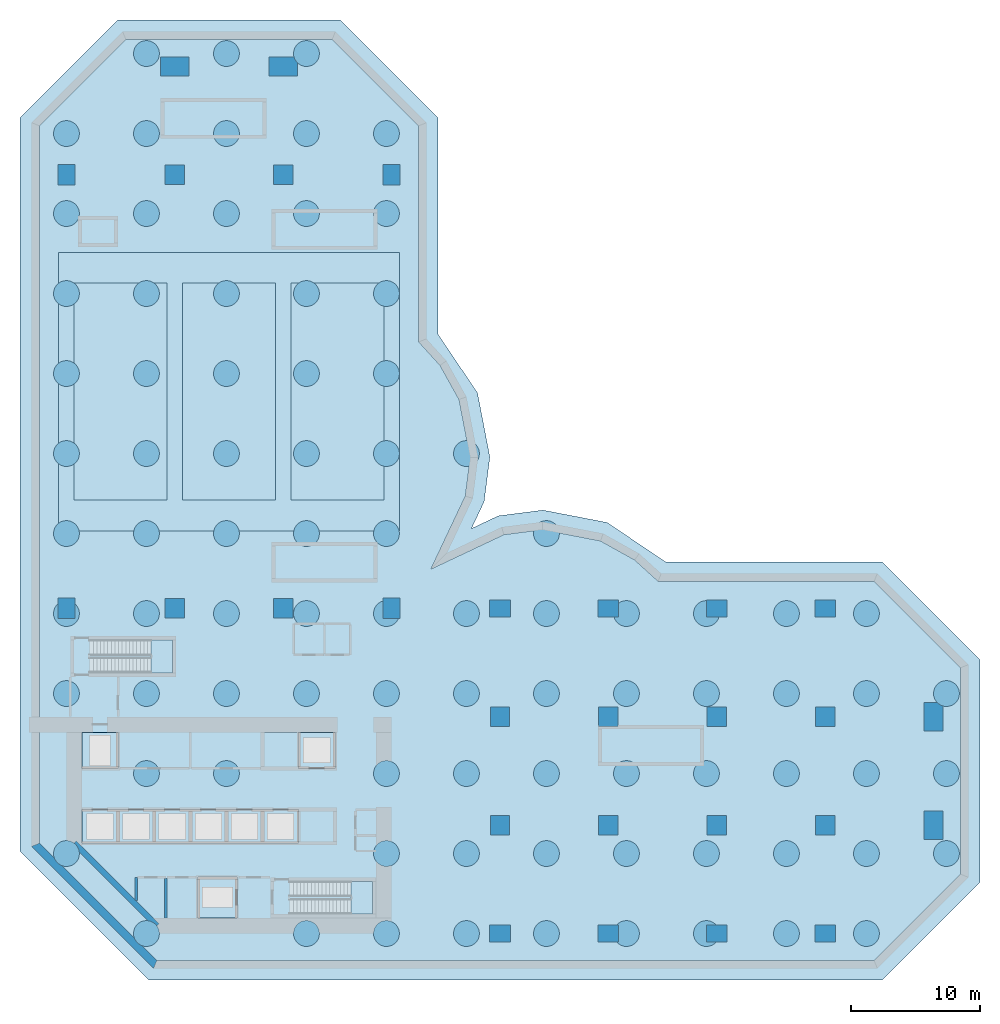
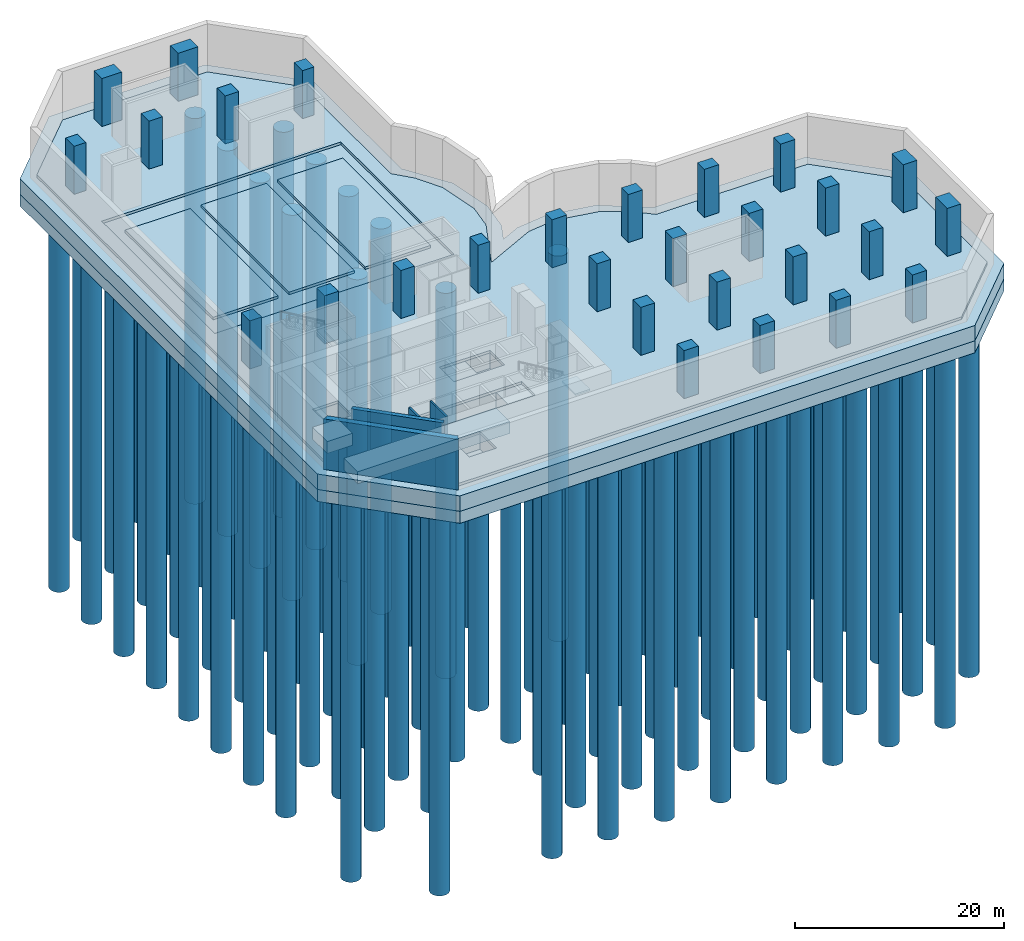
# One storey, part 1 of 6: 86 piles, 28 columns, 6 footings, 6 slabs, 4 walls, 2 elements without a shape of their own.
"""IFC4 building model written with IfcOpenShell, lengths in metres."""

from ifc_helpers import new_model, si_unit, direction, frame, frame_2d, origin, origin_2d, place, context, subcontext, project, spatial, polyline, rectangle, circle, outline, extrude, material, layer, layer_set, material_profile, profile_set, type_object, element, aggregate, save


model = new_model("IFC4")

# Units and contexts
model_context = context("Model", 3, precision=1e-05, world=origin(), true_north=direction((0.0, 1.0)))
body_context = subcontext(model_context, "Body", "Model", "MODEL_VIEW")
ifc_project = project(units=[si_unit("LENGTHUNIT", "METRE"), si_unit("AREAUNIT", "SQUARE_METRE"), si_unit("VOLUMEUNIT", "CUBIC_METRE"), si_unit("PLANEANGLEUNIT", "RADIAN"), si_unit("MASSUNIT", "GRAM", prefix="KILO")], contexts=[model_context])

# Site, building, storey
site_placement = place(None, origin())
site = spatial("IfcSite", under=ifc_project, at=site_placement, CompositionType="ELEMENT")
building_placement = place(site_placement, origin())
building = spatial("IfcBuilding", under=site, at=building_placement, Name="Brevane Broadcast Tower", CompositionType="ELEMENT")
storey_placement = place(building_placement, frame((0.0, 0.0, -6.0)))
storey = spatial("IfcBuildingStorey", under=building, at=storey_placement, Name="B1", CompositionType="ELEMENT", Elevation=-6.0)

# Piles
ifc_material_1 = material(Name="Concrete C35/45", Category="concrete")
ifc_material_profile_1 = material_profile(ifc_material_1, circle(Radius=1.0, at=origin_2d()), Name="RC D2000")
ifc_profile_set_1 = profile_set([ifc_material_profile_1], Name="Concrete C35/45")
pile_type = type_object("IfcPileType", Name="BORED PILE D2000 C35/45", PredefinedType="BORED", material=ifc_profile_set_1)
for number, where, z_axis, x_axis, name in (
    (1, (6.199951171875, 0.0, -3.39990234375), (0.0, 0.0, -1.0), (1.0, 0.0, 0.0), "P1"),
    (2, (18.60009765625, 0.0, -3.39990234375), (0.0, 0.0, -1.0), (1.0, 0.0, 0.0), "P2"),
    (3, (24.800048828125, 0.0, -3.39990234375), (0.0, 0.0, -1.0), (1.0, 0.0, 0.0), "P3"),
    (4, (31.0, 0.0, -3.39990234375), (0.0, 0.0, -1.0), (1.0, 0.0, 0.0), "P4"),
    (5, (37.199951171875, 0.0, -3.39990234375), (0.0, 0.0, -1.0), (1.0, 0.0, 0.0), "P5"),
    (6, (43.39990234375, 0.0, -3.39990234375), (0.0, 0.0, -1.0), (1.0, 0.0, 0.0), "P6"),
    (7, (49.60009765625, 0.0, -3.39990234375), (0.0, 0.0, -1.0), (1.0, 0.0, 0.0), "P7"),
    (8, (55.800048828125, 0.0, -3.39990234375), (0.0, 0.0, -1.0), (1.0, 0.0, 0.0), "P8"),
    (9, (62.0, 0.0, -3.39990234375), (0.0, 0.0, -1.0), (1.0, 0.0, 0.0), "P9"),
    (10, (0.0, 6.199951171875, -3.39990234375), (0.0, 0.0, -1.0), (1.0, 0.0, 0.0), "P10"),
    (11, (24.800048828125, 6.199951171875, -3.39990234375), (0.0, 0.0, -1.0), (1.0, 0.0, 0.0), "P11"),
    (12, (31.0, 6.199951171875, -3.39990234375), (0.0, 0.0, -1.0), (1.0, 0.0, 0.0), "P12"),
    (13, (37.199951171875, 6.199951171875, -3.39990234375), (0.0, 0.0, -1.0), (1.0, 0.0, 0.0), "P13"),
    (14, (43.39990234375, 6.199951171875, -3.39990234375), (0.0, 0.0, -1.0), (1.0, 0.0, 0.0), "P14"),
    (15, (49.60009765625, 6.199951171875, -3.39990234375), (0.0, 0.0, -1.0), (1.0, 0.0, 0.0), "P15"),
    (16, (55.800048828125, 6.199951171875, -3.39990234375), (0.0, 0.0, -1.0), (1.0, 0.0, 0.0), "P16"),
    (17, (62.0, 6.199951171875, -3.39990234375), (0.0, 0.0, -1.0), (1.0, 0.0, 0.0), "P17"),
    (18, (68.199951171875, 6.199951171875, -3.39990234375), (0.0, 0.0, -1.0), (1.0, 0.0, 0.0), "P18"),
    (19, (6.199951171875, 12.39990234375, -3.39990234375), (0.0, 0.0, -1.0), (1.0, 0.0, 0.0), "P19"),
    (20, (12.39990234375, 12.39990234375, -3.39990234375), (0.0, 0.0, -1.0), (1.0, 0.0, 0.0), "P20"),
    (21, (24.800048828125, 12.39990234375, -3.39990234375), (0.0, 0.0, -1.0), (1.0, 0.0, 0.0), "P21"),
    (22, (31.0, 12.39990234375, -3.39990234375), (0.0, 0.0, -1.0), (1.0, 0.0, 0.0), "P22"),
    (23, (37.199951171875, 12.39990234375, -3.39990234375), (0.0, 0.0, -1.0), (1.0, 0.0, 0.0), "P23"),
    (24, (43.39990234375, 12.39990234375, -3.39990234375), (0.0, 0.0, -1.0), (1.0, 0.0, 0.0), "P24"),
    (25, (49.60009765625, 12.39990234375, -3.39990234375), (0.0, 0.0, -1.0), (1.0, 0.0, 0.0), "P25"),
    (26, (55.800048828125, 12.39990234375, -3.39990234375), (0.0, 0.0, -1.0), (1.0, 0.0, 0.0), "P26"),
    (27, (62.0, 12.39990234375, -3.39990234375), (0.0, 0.0, -1.0), (1.0, 0.0, 0.0), "P27"),
    (28, (68.199951171875, 12.39990234375, -3.39990234375), (0.0, 0.0, -1.0), (1.0, 0.0, 0.0), "P28"),
    (29, (0.0, 18.60009765625, -3.39990234375), (0.0, 0.0, -1.0), (1.0, 0.0, 0.0), "P29"),
    (30, (6.199951171875, 18.60009765625, -3.39990234375), (0.0, 0.0, -1.0), (1.0, 0.0, 0.0), "P30"),
    (31, (12.39990234375, 18.60009765625, -3.39990234375), (0.0, 0.0, -1.0), (1.0, 0.0, 0.0), "P31"),
    (32, (18.60009765625, 18.60009765625, -3.39990234375), (0.0, 0.0, -1.0), (1.0, 0.0, 0.0), "P32"),
    (33, (24.800048828125, 18.60009765625, -3.39990234375), (0.0, 0.0, -1.0), (1.0, 0.0, 0.0), "P33"),
    (34, (31.0, 18.60009765625, -3.39990234375), (0.0, 0.0, -1.0), (1.0, 0.0, 0.0), "P34"),
    (35, (37.199951171875, 18.60009765625, -3.39990234375), (0.0, 0.0, -1.0), (1.0, 0.0, 0.0), "P35"),
    (36, (43.39990234375, 18.60009765625, -3.39990234375), (0.0, 0.0, -1.0), (1.0, 0.0, 0.0), "P36"),
    (37, (49.60009765625, 18.60009765625, -3.39990234375), (0.0, 0.0, -1.0), (1.0, 0.0, 0.0), "P37"),
    (38, (55.800048828125, 18.60009765625, -3.39990234375), (0.0, 0.0, -1.0), (1.0, 0.0, 0.0), "P38"),
    (39, (62.0, 18.60009765625, -3.39990234375), (0.0, 0.0, -1.0), (1.0, 0.0, 0.0), "P39"),
    (40, (68.199951171875, 18.60009765625, -3.39990234375), (0.0, 0.0, -1.0), (1.0, 0.0, 0.0), "P40"),
    (41, (0.0, 24.800048828125, -3.39990234375), (0.0, 0.0, -1.0), (1.0, 0.0, 0.0), "P41"),
    (42, (6.199951171875, 24.800048828125, -3.39990234375), (0.0, 0.0, -1.0), (1.0, 0.0, 0.0), "P42"),
    (43, (12.39990234375, 24.800048828125, -3.39990234375), (0.0, 0.0, -1.0), (1.0, 0.0, 0.0), "P43"),
    (44, (18.60009765625, 24.800048828125, -3.39990234375), (0.0, 0.0, -1.0), (1.0, 0.0, 0.0), "P44"),
    (45, (24.800048828125, 24.800048828125, -3.39990234375), (0.0, 0.0, -1.0), (1.0, 0.0, 0.0), "P45"),
    (46, (31.0, 24.800048828125, -3.39990234375), (0.0, 0.0, -1.0), (1.0, 0.0, 0.0), "P46"),
    (47, (37.199951171875, 24.800048828125, -3.39990234375), (0.0, 0.0, -1.0), (1.0, 0.0, 0.0), "P47"),
    (48, (43.39990234375, 24.800048828125, -3.39990234375), (0.0, 0.0, -1.0), (1.0, 0.0, 0.0), "P48"),
    (49, (49.60009765625, 24.800048828125, -3.39990234375), (0.0, 0.0, -1.0), (1.0, 0.0, 0.0), "P49"),
    (50, (55.800048828125, 24.800048828125, -3.39990234375), (0.0, 0.0, -1.0), (1.0, 0.0, 0.0), "P50"),
    (51, (62.0, 24.800048828125, -3.39990234375), (0.0, 0.0, -1.0), (1.0, 0.0, 0.0), "P51"),
    (52, (0.0, 31.0, -3.39990234375), (0.0, 0.0, -1.0), (1.0, 0.0, 0.0), "P52"),
    (53, (6.199951171875, 31.0, -3.39990234375), (0.0, 0.0, -1.0), (1.0, 0.0, 0.0), "P53"),
    (54, (12.39990234375, 31.0, -3.39990234375), (0.0, 0.0, -1.0), (1.0, 0.0, 0.0), "P54"),
    (55, (18.60009765625, 31.0, -3.39990234375), (0.0, 0.0, -1.0), (1.0, 0.0, 0.0), "P55"),
    (56, (24.800048828125, 31.0, -3.39990234375), (0.0, 0.0, -1.0), (1.0, 0.0, 0.0), "P56"),
    (57, (37.199951171875, 31.0, -3.39990234375), (0.0, 0.0, -1.0), (1.0, 0.0, 0.0), "P57"),
    (58, (0.0, 37.199951171875, -3.39990234375), (0.0, 0.0, -1.0), (1.0, 0.0, 0.0), "P58"),
    (59, (6.199951171875, 37.199951171875, -3.39990234375), (0.0, 0.0, -1.0), (1.0, 0.0, 0.0), "P59"),
    (60, (12.39990234375, 37.199951171875, -3.39990234375), (0.0, 0.0, -1.0), (1.0, 0.0, 0.0), "P60"),
    (61, (18.60009765625, 37.199951171875, -3.39990234375), (0.0, 0.0, -1.0), (1.0, 0.0, 0.0), "P61"),
    (62, (24.800048828125, 37.199951171875, -3.39990234375), (0.0, 0.0, -1.0), (1.0, 0.0, 0.0), "P62"),
    (63, (31.0, 37.199951171875, -3.39990234375), (0.0, 0.0, -1.0), (1.0, 0.0, 0.0), "P63"),
    (64, (0.0, 43.39990234375, -3.39990234375), (0.0, 0.0, -1.0), (1.0, 0.0, 0.0), "P64"),
    (65, (6.199951171875, 43.39990234375, -3.39990234375), (0.0, 0.0, -1.0), (1.0, 0.0, 0.0), "P65"),
    (66, (12.39990234375, 43.39990234375, -3.39990234375), (0.0, 0.0, -1.0), (1.0, 0.0, 0.0), "P66"),
    (67, (18.60009765625, 43.39990234375, -3.39990234375), (0.0, 0.0, -1.0), (1.0, 0.0, 0.0), "P67"),
    (68, (24.800048828125, 43.39990234375, -3.39990234375), (0.0, 0.0, -1.0), (1.0, 0.0, 0.0), "P68"),
    (69, (0.0, 49.60009765625, -3.39990234375), (0.0, 0.0, -1.0), (1.0, 0.0, 0.0), "P69"),
    (70, (6.199951171875, 49.60009765625, -3.39990234375), (0.0, 0.0, -1.0), (1.0, 0.0, 0.0), "P70"),
    (71, (12.39990234375, 49.60009765625, -3.39990234375), (0.0, 0.0, -1.0), (1.0, 0.0, 0.0), "P71"),
    (72, (18.60009765625, 49.60009765625, -3.39990234375), (0.0, 0.0, -1.0), (1.0, 0.0, 0.0), "P72"),
    (73, (24.800048828125, 49.60009765625, -3.39990234375), (0.0, 0.0, -1.0), (1.0, 0.0, 0.0), "P73"),
    (74, (0.0, 55.800048828125, -3.39990234375), (0.0, 0.0, -1.0), (1.0, 0.0, 0.0), "P74"),
    (75, (6.199951171875, 55.800048828125, -3.39990234375), (0.0, 0.0, -1.0), (1.0, 0.0, 0.0), "P75"),
    (76, (12.39990234375, 55.800048828125, -3.39990234375), (0.0, 0.0, -1.0), (1.0, 0.0, 0.0), "P76"),
    (77, (18.60009765625, 55.800048828125, -3.39990234375), (0.0, 0.0, -1.0), (1.0, 0.0, 0.0), "P77"),
    (78, (24.800048828125, 55.800048828125, -3.39990234375), (0.0, 0.0, -1.0), (1.0, 0.0, 0.0), "P78"),
    (79, (0.0, 62.0, -3.39990234375), (0.0, 0.0, -1.0), (1.0, 0.0, 0.0), "P79"),
    (80, (6.199951171875, 62.0, -3.39990234375), (0.0, 0.0, -1.0), (1.0, 0.0, 0.0), "P80"),
    (81, (12.39990234375, 62.0, -3.39990234375), (0.0, 0.0, -1.0), (1.0, 0.0, 0.0), "P81"),
    (82, (18.60009765625, 62.0, -3.39990234375), (0.0, 0.0, -1.0), (1.0, 0.0, 0.0), "P82"),
    (83, (24.800048828125, 62.0, -3.39990234375), (0.0, 0.0, -1.0), (1.0, 0.0, 0.0), "P83"),
    (84, (6.199951171875, 68.199951171875, -3.39990234375), (0.0, 0.0, -1.0), (1.0, 0.0, 0.0), "P84"),
    (85, (12.39990234375, 68.199951171875, -3.39990234375), (0.0, 0.0, -1.0), (1.0, 0.0, 0.0), "P85"),
    (86, (18.60009765625, 68.199951171875, -3.39990234375), (0.0, 0.0, -1.0), (1.0, 0.0, 0.0), "P86"),
):
    element("IfcPile", number, at=place(storey_placement, frame(where, z_axis=z_axis, x_axis=x_axis)), inside=storey, type_object=pile_type, Name=name, PredefinedType="BORED", context=body_context, shape_type="SweptSolid", body=[
        extrude(circle(Radius=1.0, at=origin_2d()), origin(), (0.0, 0.0, 1.0), 45.0),
    ])

# Footings
ifc_material_2 = material(Name="Concrete C40/50", Category="concrete")
ifc_layer_1 = layer(ifc_material_2, 1.39990234375)
ifc_layer_set_1 = layer_set([ifc_layer_1], Name="LIFT PIT PAD 1400 C40/50")
footing_type_1 = type_object("IfcFootingType", Name="LIFT PIT PAD 1400 C40/50", PredefinedType="PAD_FOOTING", material=ifc_layer_set_1)
footing_1_placement = place(storey_placement, frame((0.0, 0.0, -3.5)))
element("IfcFooting", 87, at=footing_1_placement, inside=storey, type_object=footing_type_1, Name="F2 PIT PAD 1", PredefinedType="PAD_FOOTING", context=body_context, shape_type="SweptSolid", body=[
    extrude(outline(polyline([(13.199951171875, 4.39990234375), (13.199951171875, 1.199951171875), (10.199951171875, 1.199951171875), (10.199951171875, 4.39990234375), (13.199951171875, 4.39990234375)])), origin(), (0.0, 0.0, 1.0), 1.39990234375),
])
footing_2_placement = place(storey_placement, frame((0.0, 0.0, -3.5)))
element("IfcFooting", 88, at=footing_2_placement, inside=storey, type_object=footing_type_1, Name="F2 PIT PAD 2", PredefinedType="PAD_FOOTING", context=body_context, shape_type="SweptSolid", body=[
    extrude(outline(polyline([(4.0, 9.60009765625), (6.800048828125, 9.60009765625), (9.60009765625, 9.60009765625), (12.39990234375, 9.60009765625), (15.199951171875, 9.60009765625), (18.0, 9.60009765625), (18.0, 7.0), (15.199951171875, 7.0), (12.39990234375, 7.0), (9.60009765625, 7.0), (6.800048828125, 7.0), (4.0, 7.0), (1.199951171875, 7.0), (1.199951171875, 9.60009765625), (4.0, 9.60009765625)])), origin(), (0.0, 0.0, 1.0), 1.39990234375),
])
footing_3_placement = place(storey_placement, frame((0.0, 0.0, -3.5)))
element("IfcFooting", 89, at=footing_3_placement, inside=storey, type_object=footing_type_1, Name="F2 PIT PAD 3", PredefinedType="PAD_FOOTING", context=body_context, shape_type="SweptSolid", body=[
    extrude(outline(polyline([(4.0, 12.800048828125), (1.199951171875, 12.800048828125), (1.199951171875, 15.60009765625), (4.0, 15.60009765625), (4.0, 12.800048828125)])), origin(), (0.0, 0.0, 1.0), 1.39990234375),
])
footing_4_placement = place(storey_placement, frame((0.0, 0.0, -3.5)))
element("IfcFooting", 90, at=footing_4_placement, inside=storey, type_object=footing_type_1, Name="F2 PIT PAD 4", PredefinedType="PAD_FOOTING", context=body_context, shape_type="SweptSolid", body=[
    extrude(outline(polyline([(20.800048828125, 12.800048828125), (18.0, 12.800048828125), (18.0, 15.60009765625), (20.800048828125, 15.60009765625), (20.800048828125, 12.800048828125)])), origin(), (0.0, 0.0, 1.0), 1.39990234375),
])
ifc_layer_2 = layer(ifc_material_2, 1.39990234375)
ifc_layer_set_2 = layer_set([ifc_layer_2], Name="PILED RAFT BASE 1400 C40/50")
footing_type_2 = type_object("IfcFootingType", Name="PILED RAFT BASE 1400 C40/50", PredefinedType="PILE_CAP", material=ifc_layer_set_2)
footing_5_placement = place(storey_placement, frame((0.0, 0.0, -3.5)))
element("IfcFooting", 91, at=footing_5_placement, inside=storey, type_object=footing_type_2, Name="F1 RAFT BASE", PredefinedType="PILE_CAP", context=body_context, shape_type="SweptSolid", body=[
    extrude(outline(polyline([(6.381591796875, -3.60009765625), (-3.60009765625, 6.381591796875), (-3.60009765625, 63.21826171875), (3.981689453125, 70.800048828125), (21.21826171875, 70.800048828125), (28.800048828125, 63.21826171875), (28.800048828125, 46.435546875), (31.855224609375, 41.905029296875), (32.814697265625, 36.928955078125), (32.37353515625, 33.472900390625), (31.387451171875, 31.387451171875), (33.472900390625, 32.37353515625), (36.928955078125, 32.814697265625), (41.905029296875, 31.855224609375), (46.435546875, 28.800048828125), (63.21826171875, 28.800048828125), (70.800048828125, 21.21826171875), (70.800048828125, 3.981689453125), (63.21826171875, -3.60009765625), (6.381591796875, -3.60009765625)]), holes=[polyline([(13.199951171875, 4.39990234375), (13.199951171875, 1.199951171875), (10.199951171875, 1.199951171875), (10.199951171875, 4.39990234375), (13.199951171875, 4.39990234375)]), polyline([(4.0, 9.60009765625), (6.800048828125, 9.60009765625), (9.60009765625, 9.60009765625), (12.39990234375, 9.60009765625), (15.199951171875, 9.60009765625), (18.0, 9.60009765625), (18.0, 7.0), (15.199951171875, 7.0), (12.39990234375, 7.0), (9.60009765625, 7.0), (6.800048828125, 7.0), (4.0, 7.0), (1.199951171875, 7.0), (1.199951171875, 9.60009765625), (4.0, 9.60009765625)]), polyline([(4.0, 12.800048828125), (1.199951171875, 12.800048828125), (1.199951171875, 15.60009765625), (4.0, 15.60009765625), (4.0, 12.800048828125)]), polyline([(20.800048828125, 12.800048828125), (18.0, 12.800048828125), (18.0, 15.60009765625), (20.800048828125, 15.60009765625), (20.800048828125, 12.800048828125)])]), origin(), (0.0, 0.0, 1.0), 1.39990234375),
])
ifc_layer_3 = layer(ifc_material_2, 1.800048828125)
ifc_layer_set_3 = layer_set([ifc_layer_3], Name="PILED RAFT UPPER 1800 C40/50")
footing_type_3 = type_object("IfcFootingType", Name="PILED RAFT UPPER 1800 C40/50", PredefinedType="PILE_CAP", material=ifc_layer_set_3)
footing_6_placement = place(storey_placement, frame((0.0, 0.0, -2.10009765625)))
element("IfcFooting", 92, at=footing_6_placement, inside=storey, type_object=footing_type_3, Name="F1 RAFT UPPER", PredefinedType="PILE_CAP", context=body_context, shape_type="SweptSolid", body=[
    extrude(outline(polyline([(6.381591796875, -3.60009765625), (-3.60009765625, 6.381591796875), (-3.60009765625, 63.21826171875), (3.981689453125, 70.800048828125), (21.21826171875, 70.800048828125), (28.800048828125, 63.21826171875), (28.800048828125, 46.435546875), (31.855224609375, 41.905029296875), (32.814697265625, 36.928955078125), (32.37353515625, 33.472900390625), (31.387451171875, 31.387451171875), (33.472900390625, 32.37353515625), (36.928955078125, 32.814697265625), (41.905029296875, 31.855224609375), (46.435546875, 28.800048828125), (63.21826171875, 28.800048828125), (70.800048828125, 21.21826171875), (70.800048828125, 3.981689453125), (63.21826171875, -3.60009765625), (6.381591796875, -3.60009765625)]), holes=[polyline([(13.199951171875, 4.39990234375), (13.199951171875, 1.199951171875), (10.199951171875, 1.199951171875), (10.199951171875, 4.39990234375), (13.199951171875, 4.39990234375)]), polyline([(4.0, 9.60009765625), (6.800048828125, 9.60009765625), (9.60009765625, 9.60009765625), (12.39990234375, 9.60009765625), (15.199951171875, 9.60009765625), (18.0, 9.60009765625), (18.0, 7.0), (15.199951171875, 7.0), (12.39990234375, 7.0), (9.60009765625, 7.0), (6.800048828125, 7.0), (4.0, 7.0), (1.199951171875, 7.0), (1.199951171875, 9.60009765625), (4.0, 9.60009765625)]), polyline([(4.0, 12.800048828125), (1.199951171875, 12.800048828125), (1.199951171875, 15.60009765625), (4.0, 15.60009765625), (4.0, 12.800048828125)]), polyline([(20.800048828125, 12.800048828125), (18.0, 12.800048828125), (18.0, 15.60009765625), (20.800048828125, 15.60009765625), (20.800048828125, 12.800048828125)])]), origin(), (0.0, 0.0, 1.0), 1.800048828125),
])

# Columns
ifc_material_3 = material(Name="Concrete C80/95", Category="concrete")
ifc_material_profile_2 = material_profile(ifc_material_3, rectangle(XDim=1.300048828125, YDim=1.60009765625, at=origin_2d()), Name="RC 1300x1600")
ifc_profile_set_2 = profile_set([ifc_material_profile_2], Name="Concrete C80/95")
column_type_1 = type_object("IfcColumnType", Name="RC COLUMN EDGE 1300x1600 C80/95", PredefinedType="COLUMN", material=ifc_profile_set_2)
for number, where, z_axis, x_axis, name in (
    (93, (0.0, 25.199951171875, 0.0), (0.0, 0.0, 1.0), (1.0, 0.0, 0.0), "CE1 1/D"),
    (94, (0.0, 58.800048828125, 0.0), (0.0, 0.0, 1.0), (1.0, 0.0, 0.0), "CE1 1/H"),
    (95, (25.199951171875, 25.199951171875, 0.0), (0.0, 0.0, 1.0), (1.0, 0.0, 0.0), "CE1 4/D"),
    (96, (25.199951171875, 58.800048828125, 0.0), (0.0, 0.0, 1.0), (1.0, 0.0, 0.0), "CE1 4/H"),
    (97, (33.60009765625, 0.0, 0.0), (0.0, 0.0, 1.0), (0.0, 1.0, 0.0), "CE1 5/A"),
    (98, (33.60009765625, 25.199951171875, 0.0), (0.0, 0.0, 1.0), (0.0, 1.0, 0.0), "CE1 5/D"),
    (99, (42.0, 0.0, 0.0), (0.0, 0.0, 1.0), (0.0, 1.0, 0.0), "CE1 6/A"),
    (100, (42.0, 25.199951171875, 0.0), (0.0, 0.0, 1.0), (0.0, 1.0, 0.0), "CE1 6/D"),
    (101, (50.39990234375, 0.0, 0.0), (0.0, 0.0, 1.0), (0.0, 1.0, 0.0), "CE1 7/A"),
    (102, (50.39990234375, 25.199951171875, 0.0), (0.0, 0.0, 1.0), (0.0, 1.0, 0.0), "CE1 7/D"),
    (103, (58.800048828125, 0.0, 0.0), (0.0, 0.0, 1.0), (0.0, 1.0, 0.0), "CE1 8/A"),
    (104, (58.800048828125, 25.199951171875, 0.0), (0.0, 0.0, 1.0), (0.0, 1.0, 0.0), "CE1 8/D"),
):
    element("IfcColumn", number, at=place(storey_placement, frame(where, z_axis=z_axis, x_axis=x_axis)), inside=storey, type_object=column_type_1, Name=name, PredefinedType="COLUMN", context=body_context, shape_type="SweptSolid", body=[
        extrude(rectangle(XDim=1.300048828125, YDim=1.60009765625, at=origin_2d()), origin(), (0.0, 0.0, 1.0), 5.60009765625),
    ])
ifc_material_profile_3 = material_profile(ifc_material_3, rectangle(XDim=1.5, YDim=1.5, at=origin_2d()), Name="RC 1500x1500")
ifc_profile_set_3 = profile_set([ifc_material_profile_3], Name="Concrete C80/95")
column_type_2 = type_object("IfcColumnType", Name="RC COLUMN INTERIOR 1500x1500 C80/95", PredefinedType="COLUMN", material=ifc_profile_set_3)
for number, where, z_axis, x_axis, name in (
    (105, (8.39990234375, 25.199951171875, 0.0), (0.0, 0.0, 1.0), (1.0, 0.0, 0.0), "CI2 2/D"),
    (106, (8.39990234375, 58.800048828125, 0.0), (0.0, 0.0, 1.0), (1.0, 0.0, 0.0), "CI2 2/H"),
    (107, (16.800048828125, 25.199951171875, 0.0), (0.0, 0.0, 1.0), (1.0, 0.0, 0.0), "CI2 3/D"),
    (108, (16.800048828125, 58.800048828125, 0.0), (0.0, 0.0, 1.0), (1.0, 0.0, 0.0), "CI2 3/H"),
    (109, (33.60009765625, 8.39990234375, 0.0), (0.0, 0.0, 1.0), (1.0, 0.0, 0.0), "CI2 5/B"),
    (110, (33.60009765625, 16.800048828125, 0.0), (0.0, 0.0, 1.0), (1.0, 0.0, 0.0), "CI2 5/C"),
    (111, (42.0, 8.39990234375, 0.0), (0.0, 0.0, 1.0), (1.0, 0.0, 0.0), "CI2 6/B"),
    (112, (42.0, 16.800048828125, 0.0), (0.0, 0.0, 1.0), (1.0, 0.0, 0.0), "CI2 6/C"),
    (113, (50.39990234375, 8.39990234375, 0.0), (0.0, 0.0, 1.0), (1.0, 0.0, 0.0), "CI2 7/B"),
    (114, (50.39990234375, 16.800048828125, 0.0), (0.0, 0.0, 1.0), (1.0, 0.0, 0.0), "CI2 7/C"),
    (115, (58.800048828125, 8.39990234375, 0.0), (0.0, 0.0, 1.0), (1.0, 0.0, 0.0), "CI2 8/B"),
    (116, (58.800048828125, 16.800048828125, 0.0), (0.0, 0.0, 1.0), (1.0, 0.0, 0.0), "CI2 8/C"),
):
    element("IfcColumn", number, at=place(storey_placement, frame(where, z_axis=z_axis, x_axis=x_axis)), inside=storey, type_object=column_type_2, Name=name, PredefinedType="COLUMN", context=body_context, shape_type="SweptSolid", body=[
        extrude(rectangle(XDim=1.5, YDim=1.5, at=origin_2d()), origin(), (0.0, 0.0, 1.0), 5.60009765625),
    ])
ifc_material_profile_4 = material_profile(ifc_material_3, rectangle(XDim=1.5, YDim=2.199951171875, at=origin_2d()), Name="RC 1500x2200")
ifc_profile_set_4 = profile_set([ifc_material_profile_4], Name="Concrete C80/95")
column_type_3 = type_object("IfcColumnType", Name="RC COLUMN WING-END 1500x2200 C80/95", PredefinedType="COLUMN", material=ifc_profile_set_4)
for number, where, z_axis, x_axis, name in (
    (117, (8.39990234375, 67.199951171875, 0.0), (0.0, 0.0, 1.0), (0.0, 1.0, 0.0), "CW3 2/I"),
    (118, (16.800048828125, 67.199951171875, 0.0), (0.0, 0.0, 1.0), (0.0, 1.0, 0.0), "CW3 3/I"),
    (119, (67.199951171875, 8.39990234375, 0.0), (0.0, 0.0, 1.0), (1.0, 0.0, 0.0), "CW3 9/B"),
    (120, (67.199951171875, 16.800048828125, 0.0), (0.0, 0.0, 1.0), (1.0, 0.0, 0.0), "CW3 9/C"),
):
    element("IfcColumn", number, at=place(storey_placement, frame(where, z_axis=z_axis, x_axis=x_axis)), inside=storey, type_object=column_type_3, Name=name, PredefinedType="COLUMN", context=body_context, shape_type="SweptSolid", body=[
        extrude(rectangle(XDim=1.5, YDim=2.199951171875, at=origin_2d()), origin(), (0.0, 0.0, 1.0), 5.60009765625),
    ])

# Stair, slab
ifc_material_4 = material(Name="Concrete C50/60", Category="concrete")
stair_type = type_object("IfcStairType", Name="Exit stair 36 risers", PredefinedType="HALF_TURN_STAIR", material=ifc_material_4)
stair_1_placement = place(storey_placement, origin())
stair_1 = element("IfcStair", 121, at=stair_1_placement, inside=storey, type_object=stair_type, Name="B1 Exit stair ST-1", PredefinedType="HALF_TURN_STAIR")
ifc_layer_4 = layer(ifc_material_4, 0.199951171875)
ifc_layer_set_4 = layer_set([ifc_layer_4], Name="Exit stair landing")
slab_type_1 = type_object("IfcSlabType", Name="Exit stair landing", PredefinedType="LANDING", material=ifc_layer_set_4)
slab_1_placement = place(storey_placement, frame((0.0, 0.0, 2.800048828125)))
slab_1 = element("IfcSlab", 122, at=slab_1_placement, type_object=slab_type_1, Name="ST-1 landing 1", PredefinedType="LANDING", context=body_context, shape_type="SweptSolid", body=[
    extrude(outline(polyline([(6.56005859375, 20.199951171875), (8.199951171875, 20.199951171875), (8.199951171875, 22.75), (6.56005859375, 22.75), (6.56005859375, 20.199951171875)])), origin(), (0.0, 0.0, 1.0), 0.199951171875),
])
aggregate(stair_1, [slab_1])

stair_2_placement = place(storey_placement, origin())
stair_2 = element("IfcStair", 123, at=stair_2_placement, inside=storey, type_object=stair_type, Name="B1 Exit stair ST-2", PredefinedType="HALF_TURN_STAIR")
slab_2_placement = place(storey_placement, frame((0.0, 0.0, 2.800048828125)))
slab_2 = element("IfcSlab", 124, at=slab_2_placement, type_object=slab_type_1, Name="ST-2 landing 1", PredefinedType="LANDING", context=body_context, shape_type="SweptSolid", body=[
    extrude(outline(polyline([(22.06005859375, 1.5), (23.699951171875, 1.5), (23.699951171875, 4.050048828125), (22.06005859375, 4.050048828125), (22.06005859375, 1.5)])), origin(), (0.0, 0.0, 1.0), 0.199951171875),
])
aggregate(stair_2, [slab_2])

# Slabs
ifc_layer_5 = layer(ifc_material_2, 0.300048828125)
ifc_layer_set_5 = layer_set([ifc_layer_5], Name="RC BASEMENT SLAB 300 C40/50")
slab_type_2 = type_object("IfcSlabType", Name="RC BASEMENT SLAB 300 C40/50", PredefinedType="BASESLAB", material=ifc_layer_set_5)
slab_3_placement = place(storey_placement, frame((0.0, 0.0, -0.300048828125)))
element("IfcSlab", 125, at=slab_3_placement, inside=storey, type_object=slab_type_2, Name="SB300 B1", PredefinedType="BASESLAB", context=body_context, shape_type="SweptSolid", body=[
    extrude(outline(polyline([(7.0029296875, -2.10009765625), (-2.10009765625, 7.0029296875), (-2.10009765625, 62.59716796875), (4.60302734375, 69.300048828125), (20.59716796875, 69.300048828125), (27.300048828125, 62.59716796875), (27.300048828125, 45.8564453125), (28.953125, 44.03466796875), (30.427734375, 41.385498046875), (31.29638671875, 36.880615234375), (30.91552734375, 33.89892578125), (28.240234375, 28.240234375), (33.89892578125, 30.91552734375), (36.880615234375, 31.29638671875), (41.385498046875, 30.427734375), (44.03466796875, 28.953125), (45.8564453125, 27.300048828125), (62.59716796875, 27.300048828125), (69.300048828125, 20.59716796875), (69.300048828125, 4.60302734375), (62.59716796875, -2.10009765625), (7.0029296875, -2.10009765625)]), holes=[polyline([(13.199951171875, 1.199951171875), (13.199951171875, 4.39990234375), (10.199951171875, 4.39990234375), (10.199951171875, 1.199951171875), (13.199951171875, 1.199951171875)]), polyline([(6.800048828125, 9.60009765625), (4.0, 9.60009765625), (1.199951171875, 9.60009765625), (1.199951171875, 7.0), (4.0, 7.0), (6.800048828125, 7.0), (9.60009765625, 7.0), (12.39990234375, 7.0), (15.199951171875, 7.0), (18.0, 7.0), (20.800048828125, 7.0), (20.800048828125, 9.60009765625), (18.0, 9.60009765625), (15.199951171875, 9.60009765625), (12.39990234375, 9.60009765625), (9.60009765625, 9.60009765625), (6.800048828125, 9.60009765625)]), polyline([(4.0, 12.800048828125), (4.0, 15.60009765625), (1.199951171875, 15.60009765625), (1.199951171875, 12.800048828125), (4.0, 12.800048828125)]), polyline([(-0.60009765625, 31.199951171875), (0.60009765625, 31.199951171875), (7.800048828125, 31.199951171875), (9.0, 31.199951171875), (16.199951171875, 31.199951171875), (17.39990234375, 31.199951171875), (24.60009765625, 31.199951171875), (25.800048828125, 31.199951171875), (25.800048828125, 52.800048828125), (24.60009765625, 52.800048828125), (17.39990234375, 52.800048828125), (16.199951171875, 52.800048828125), (9.0, 52.800048828125), (7.800048828125, 52.800048828125), (0.60009765625, 52.800048828125), (-0.60009765625, 52.800048828125), (-0.60009765625, 31.199951171875)]), polyline([(15.199951171875, 12.800048828125), (18.0, 12.800048828125), (20.800048828125, 12.800048828125), (20.800048828125, 15.60009765625), (18.0, 15.60009765625), (15.199951171875, 15.60009765625), (15.199951171875, 12.800048828125)])]), origin(), (0.0, 0.0, 1.0), 0.300048828125),
])
slab_4_placement = place(storey_placement, frame((0.0, 0.0, -0.300048828125)))
element("IfcSlab", 126, at=slab_4_placement, inside=storey, type_object=slab_type_2, Name="SB300 B1", PredefinedType="BASESLAB", context=body_context, shape_type="SweptSolid", body=[
    extrude(outline(polyline([(9.0, 50.39990234375), (16.199951171875, 50.39990234375), (16.199951171875, 33.60009765625), (9.0, 33.60009765625), (9.0, 50.39990234375)])), origin(), (0.0, 0.0, 1.0), 0.300048828125),
])
slab_5_placement = place(storey_placement, frame((0.0, 0.0, -0.300048828125)))
element("IfcSlab", 127, at=slab_5_placement, inside=storey, type_object=slab_type_2, Name="SB300 B1", PredefinedType="BASESLAB", context=body_context, shape_type="SweptSolid", body=[
    extrude(outline(polyline([(7.800048828125, 50.39990234375), (7.800048828125, 33.60009765625), (0.60009765625, 33.60009765625), (0.60009765625, 50.39990234375), (7.800048828125, 50.39990234375)])), origin(), (0.0, 0.0, 1.0), 0.300048828125),
])
slab_6_placement = place(storey_placement, frame((0.0, 0.0, -0.300048828125)))
element("IfcSlab", 128, at=slab_6_placement, inside=storey, type_object=slab_type_2, Name="SB300 B1", PredefinedType="BASESLAB", context=body_context, shape_type="SweptSolid", body=[
    extrude(outline(polyline([(24.60009765625, 50.39990234375), (24.60009765625, 33.60009765625), (17.39990234375, 33.60009765625), (17.39990234375, 50.39990234375), (24.60009765625, 50.39990234375)])), origin(), (0.0, 0.0, 1.0), 0.300048828125),
])

# Walls
ifc_material_5 = material(Name="Gypsum board on steel studs", Category="steel")
ifc_layer_6 = layer(ifc_material_5, 0.199951171875)
ifc_layer_set_6 = layer_set([ifc_layer_6], Name="Core fire partition 200 mm")
wall_type_1 = type_object("IfcWallType", Name="Core fire partition 200 mm", PredefinedType="PARTITIONING", material=ifc_layer_set_6)
wall_1_placement = place(storey_placement, frame((5.39990234375, 2.553466796875, 0.0), z_axis=(0.0, 0.0, 1.0), x_axis=(0.0, 1.0, 0.0)))
element("IfcWall", 129, at=wall_1_placement, inside=storey, type_object=wall_type_1, Name="B1 partition wall P04", PredefinedType="PARTITIONING", context=body_context, shape_type="SweptSolid", body=[
    extrude(rectangle(XDim=1.796630859375, YDim=0.199951171875, at=frame_2d((0.8984375, 0.0))), origin(), (0.0, 0.0, 1.0), 5.60009765625),
])
wall_2_placement = place(storey_placement, frame((7.699951171875, 4.25, 0.0), z_axis=(0.0, 0.0, 1.0), x_axis=(0.0, -1.0, 0.0)))
element("IfcWall", 130, at=wall_2_placement, inside=storey, type_object=wall_type_1, Name="B1 partition wall P06", PredefinedType="PARTITIONING", context=body_context, shape_type="SweptSolid", body=[
    extrude(rectangle(XDim=3.0380859375, YDim=0.199951171875, at=frame_2d((1.51904296875, 0.0))), origin(), (0.0, 0.0, 1.0), 5.60009765625),
])
ifc_layer_7 = layer(ifc_material_3, 0.449951171875)
ifc_layer_set_7 = layer_set([ifc_layer_7], Name="Core wall 450 mm C80/95")
wall_type_2 = type_object("IfcWallType", Name="Core wall 450 mm C80/95", PredefinedType="SHEAR", material=ifc_layer_set_7)
wall_3_placement = place(storey_placement, frame((0.60009765625, 7.018310546875, 0.0), z_axis=(0.0, 0.0, 1.0), x_axis=(0.707106781187, -0.707106781187, 0.0)))
element("IfcWall", 131, at=wall_3_placement, inside=storey, type_object=wall_type_2, Name="B1 outer wall WC", PredefinedType="SHEAR", context=body_context, shape_type="SweptSolid", body=[
    extrude(rectangle(XDim=9.07666015625, YDim=0.449951171875, at=frame_2d((4.538330078125, 0.0))), origin(), (0.0, 0.0, 1.0), 5.60009765625),
])
ifc_layer_8 = layer(ifc_material_4, 0.60009765625)
ifc_layer_set_8 = layer_set([ifc_layer_8], Name="RC BASEMENT WALL 600 C50/60")
wall_type_3 = type_object("IfcWallType", Name="RC BASEMENT WALL 600 C50/60", PredefinedType="SOLIDWALL", material=ifc_layer_set_8)
wall_4_placement = place(storey_placement, frame((0.0, 0.0, -0.300048828125)))
element("IfcWall", 132, at=wall_4_placement, inside=storey, type_object=wall_type_3, Name="BW20", PredefinedType="SOLIDWALL", context=body_context, shape_type="SweptSolid", body=[
    extrude(outline(polyline([(-2.699951171875, 6.75439453125), (6.75439453125, -2.699951171875), (7.0029296875, -2.10009765625), (-2.10009765625, 7.0029296875), (-2.699951171875, 6.75439453125)])), origin(), (0.0, 0.0, 1.0), 5.900146484375),
])

save(model, "model.ifc")
